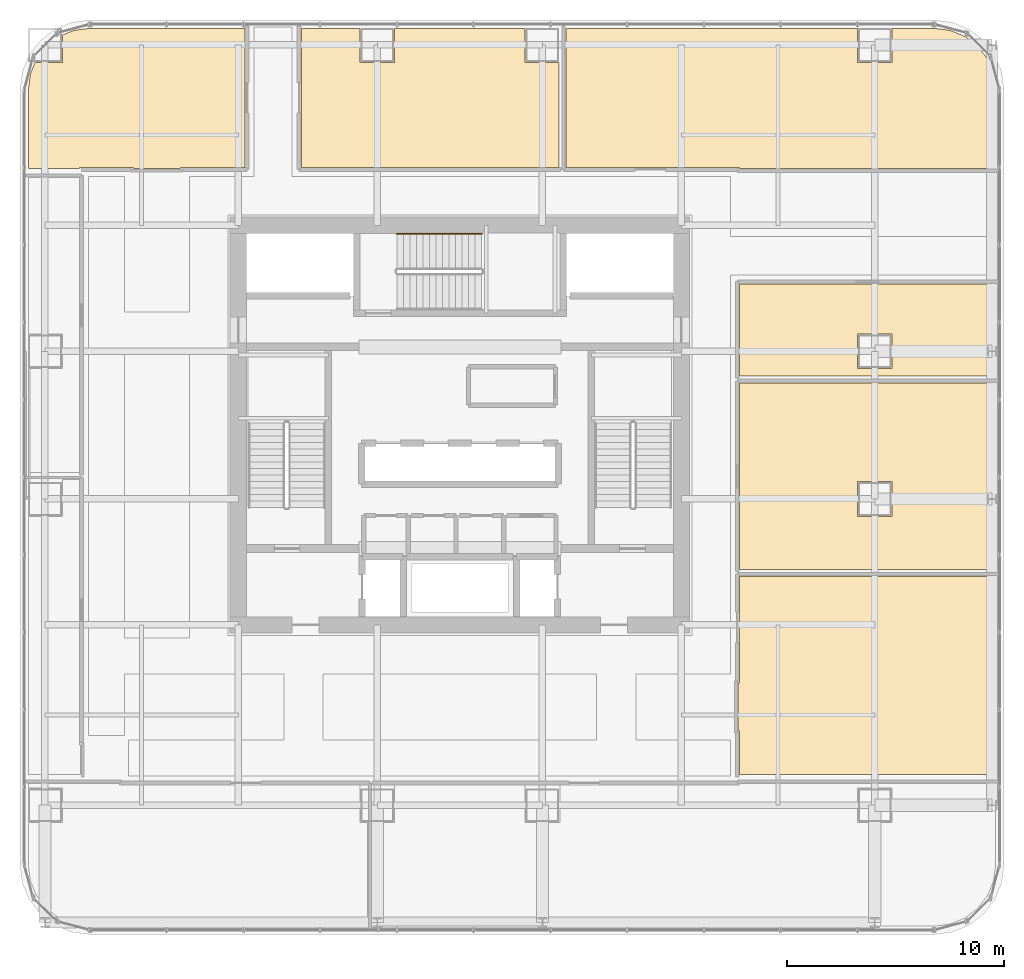
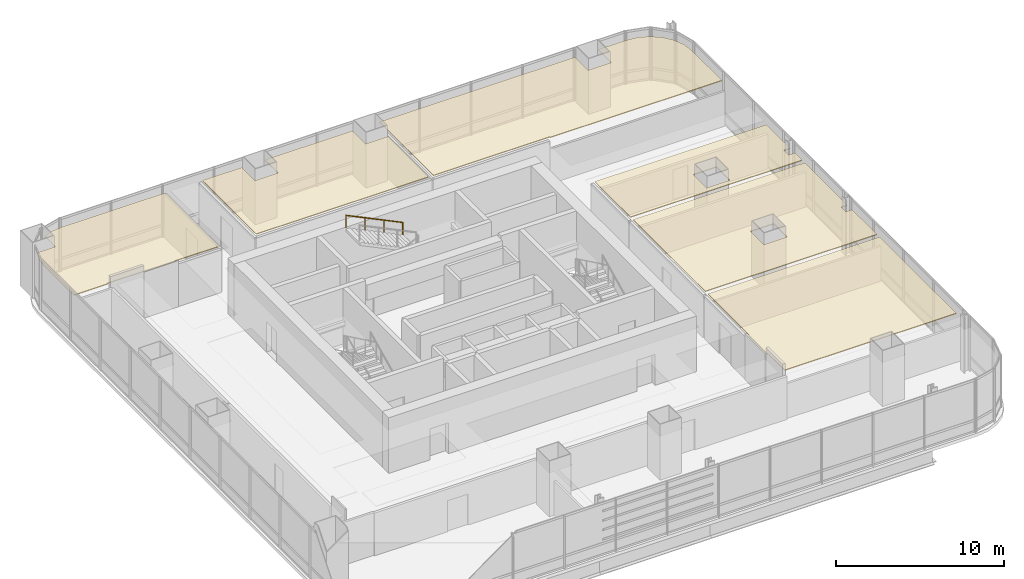
# One storey, part 35 of 35: 6 coverings, 1 railing.
"""IFC4 building model written with IfcOpenShell, lengths in metres."""

from ifc_helpers import new_model, si_unit, direction, frame, origin, origin_2d, place, context, subcontext, project, spatial, polyline, circle, outline, extrude, material, layer, layer_set, type_object, element, save


model = new_model("IFC4")

# Units and contexts
model_context = context("Model", 3, precision=1e-05, world=origin(), true_north=direction((0.0, 1.0)))
body_context = subcontext(model_context, "Body", "Model", "MODEL_VIEW")
ifc_project = project(units=[si_unit("LENGTHUNIT", "METRE"), si_unit("AREAUNIT", "SQUARE_METRE"), si_unit("VOLUMEUNIT", "CUBIC_METRE"), si_unit("PLANEANGLEUNIT", "RADIAN"), si_unit("MASSUNIT", "GRAM", prefix="KILO")], contexts=[model_context])

# Site, building, storey
site_placement = place(None, origin())
site = spatial("IfcSite", under=ifc_project, at=site_placement, CompositionType="ELEMENT")
building_placement = place(site_placement, origin())
building = spatial("IfcBuilding", under=site, at=building_placement, Name="Punatoya Terracotta Tower", CompositionType="ELEMENT")
storey_placement = place(building_placement, frame((0.0, 0.0, 64.64990234375)))
storey = spatial("IfcBuildingStorey", under=building, at=storey_placement, Name="L14", CompositionType="ELEMENT", Elevation=64.64990234375)

# Coverings
ifc_material_1 = material(Name="Acoustic Mineral Fibre Ceiling")
ifc_layer = layer(ifc_material_1, 0.06005859375)
ifc_layer_set = layer_set([ifc_layer], Name="Acoustic Mineral Fibre Ceiling")
covering_type = type_object("IfcCoveringType", Name="COV-CEIL-60", PredefinedType="CEILING", material=ifc_layer_set)
covering_1_placement = place(storey_placement, frame((0.0, 0.0, 3.2001953125)))
element("IfcCovering", 1, at=covering_1_placement, inside=storey, type_object=covering_type, Name="L14 Collaborative Workshop Room Acoustic Ceiling", PredefinedType="CEILING", context=body_context, shape_type="SweptSolid", body=[
    extrude(outline(polyline([(12.81005859375, -14.080078125), (12.8701171875, -14.080078125), (12.8701171875, -16.090087890625), (24.669921875, -16.090087890625), (24.669921875, -6.9580078125), (12.8701171875, -6.9580078125), (12.8701171875, -11.8701171875), (12.81005859375, -11.8701171875), (12.81005859375, -14.080078125)])), origin(), (0.0, 0.0, 1.0), 0.059814453125),
])
covering_2_placement = place(storey_placement, frame((0.0, 0.0, 3.2001953125)))
element("IfcCovering", 2, at=covering_2_placement, inside=storey, type_object=covering_type, Name="L14 Open-Plan Breakout Tea Pantry Acoustic Ceiling", PredefinedType="CEILING", context=body_context, shape_type="SweptSolid", body=[
    extrude(outline(polyline([(24.241943359375, -3.673095703125), (24.241943359375, -3.126953125), (24.669921875, -3.126953125), (24.669921875, 1.93798828125), (12.8701171875, 1.93798828125), (12.8701171875, -6.637939453125), (24.669921875, -6.637939453125), (24.669921875, -3.673095703125), (24.241943359375, -3.673095703125)]), holes=[polyline([(18.300048828125, -4.199951171875), (18.300048828125, -2.60009765625), (19.89990234375, -2.60009765625), (19.89990234375, -4.199951171875), (18.300048828125, -4.199951171875)])]), origin(), (0.0, 0.0, 1.0), 0.059814453125),
])
covering_3_placement = place(storey_placement, frame((0.0, 0.0, 3.2001953125)))
element("IfcCovering", 3, at=covering_3_placement, inside=storey, type_object=covering_type, Name="L14 Open-Plan Delegate Reception Lounge Acoustic Ceiling", PredefinedType="CEILING", context=body_context, shape_type="SweptSolid", body=[
    extrude(outline(polyline([(12.8701171875, 6.5), (12.8701171875, 2.258056640625), (24.669921875, 2.258056640625), (24.669921875, 3.126953125), (24.241943359375, 3.126953125), (24.241943359375, 3.673095703125), (24.669921875, 3.673095703125), (24.669921875, 6.5), (12.8701171875, 6.5)]), holes=[polyline([(18.300048828125, 4.199951171875), (19.89990234375, 4.199951171875), (19.89990234375, 2.60009765625), (18.300048828125, 2.60009765625), (18.300048828125, 4.199951171875)])]), origin(), (0.0, 0.0, 1.0), 0.059814453125),
])
covering_4_placement = place(storey_placement, frame((0.0, 0.0, 3.2001953125)))
element("IfcCovering", 4, at=covering_4_placement, inside=storey, type_object=covering_type, Name="L14 Open-Plan Case-Study Classroom Acoustic Ceiling", PredefinedType="CEILING", context=body_context, shape_type="SweptSolid", body=[
    extrude(outline(polyline([(-17.779052734375, 18.1708984375), (-18.300048828125, 17.955078125), (-18.300048828125, 16.699951171875), (-19.554931640625, 16.699951171875), (-19.770751953125, 16.178955078125), (-19.8701171875, 15.425048828125), (-19.8701171875, 11.81005859375), (-17.52001953125, 11.81005859375), (-17.52001953125, 11.8701171875), (-15.030029296875, 11.8701171875), (-15.030029296875, 11.81005859375), (-12.8701171875, 11.81005859375), (-12.8701171875, 11.8701171875), (-9.89990234375, 11.8701171875), (-9.89990234375, 18.27001953125), (-17.025146484375, 18.27001953125), (-17.779052734375, 18.1708984375)])), origin(), (0.0, 0.0, 1.0), 0.059814453125),
])
covering_5_placement = place(storey_placement, frame((0.0, 0.0, 3.2001953125)))
element("IfcCovering", 5, at=covering_5_placement, inside=storey, type_object=covering_type, Name="L14 Open-Plan Symposium Colloquium Room Acoustic Ceiling", PredefinedType="CEILING", context=body_context, shape_type="SweptSolid", body=[
    extrude(outline(polyline([(12.8701171875, 11.81005859375), (24.669921875, 11.81005859375), (24.669921875, 15.425048828125), (24.57080078125, 16.178955078125), (24.289306640625, 16.8583984375), (23.841796875, 17.441650390625), (23.25830078125, 17.889404296875), (22.5791015625, 18.1708984375), (21.8251953125, 18.27001953125), (19.89990234375, 18.27001953125), (19.89990234375, 16.699951171875), (18.300048828125, 16.699951171875), (18.300048828125, 18.27001953125), (4.875, 18.27001953125), (4.875, 11.8701171875), (12.8701171875, 11.8701171875), (12.8701171875, 11.81005859375)])), origin(), (0.0, 0.0, 1.0), 0.059814453125),
])
covering_6_placement = place(storey_placement, frame((0.0, 0.0, 3.2001953125)))
element("IfcCovering", 6, at=covering_6_placement, inside=storey, type_object=covering_type, Name="L14 Open-Plan Roundtable Conference Room Acoustic Ceiling", PredefinedType="CEILING", context=body_context, shape_type="SweptSolid", body=[
    extrude(outline(polyline([(-4.60009765625, 18.27001953125), (-7.300048828125, 18.27001953125), (-7.300048828125, 11.8701171875), (4.554931640625, 11.8701171875), (4.554931640625, 16.699951171875), (3.0, 16.699951171875), (3.0, 18.27001953125), (-3.0, 18.27001953125), (-3.0, 16.699951171875), (-4.60009765625, 16.699951171875), (-4.60009765625, 18.27001953125)])), origin(), (0.0, 0.0, 1.0), 0.059814453125),
])

# Railing
ifc_material_2 = material(Name="Steel S355", Category="steel")
railing_type = type_object("IfcRailingType", Name="RLG-HND-900", PredefinedType="HANDRAIL", material=ifc_material_2)
railing_placement = place(storey_placement, frame((1.0, 8.800048828125, 2.169677734375)))
element("IfcRailing", 7, at=railing_placement, inside=storey, type_object=railing_type, Name="L14 ST-3 stair handrail 2", PredefinedType="HANDRAIL", context=body_context, shape_type="SweptSolid", body=[
    extrude(circle(Radius=0.02392578125, at=origin_2d()), frame((0.0, 0.0, 0.8759765625), z_axis=(-0.900763166376, 0.0, 0.434310623978), x_axis=(0.0, -1.0, 0.0)), (0.0, 0.0, 1.0), 4.32958984375),
    extrude(circle(Radius=0.02099609375, at=origin_2d()), origin(), (0.0, 0.0, 1.0), 0.851806640625),
    extrude(circle(Radius=0.02099609375, at=origin_2d()), frame((-1.300048828125, 0.0, 0.626708984375)), (0.0, 0.0, 1.0), 0.851806640625),
    extrude(circle(Radius=0.02099609375, at=origin_2d()), frame((-2.599853515625, 0.0, 1.253662109375)), (0.0, 0.0, 1.0), 0.851806640625),
    extrude(circle(Radius=0.02099609375, at=origin_2d()), frame((-3.89990234375, 0.0, 1.88037109375)), (0.0, 0.0, 1.0), 0.851806640625),
])

save(model, "model.ifc")
